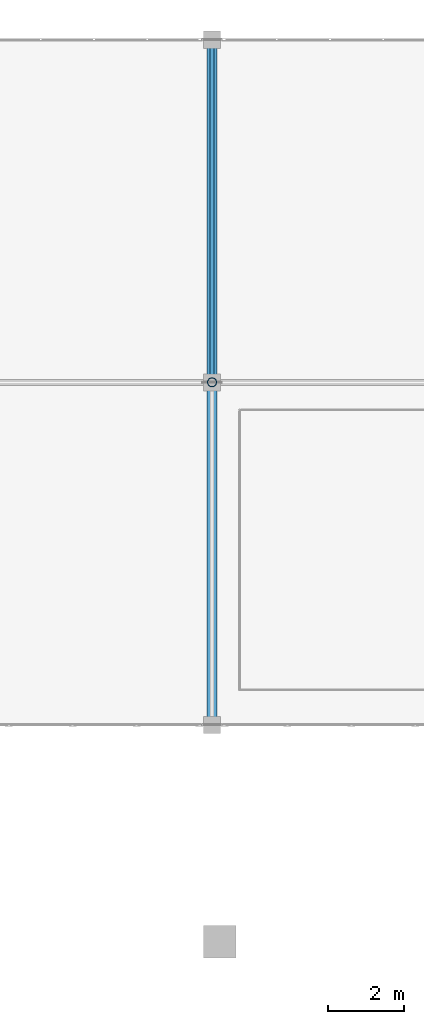
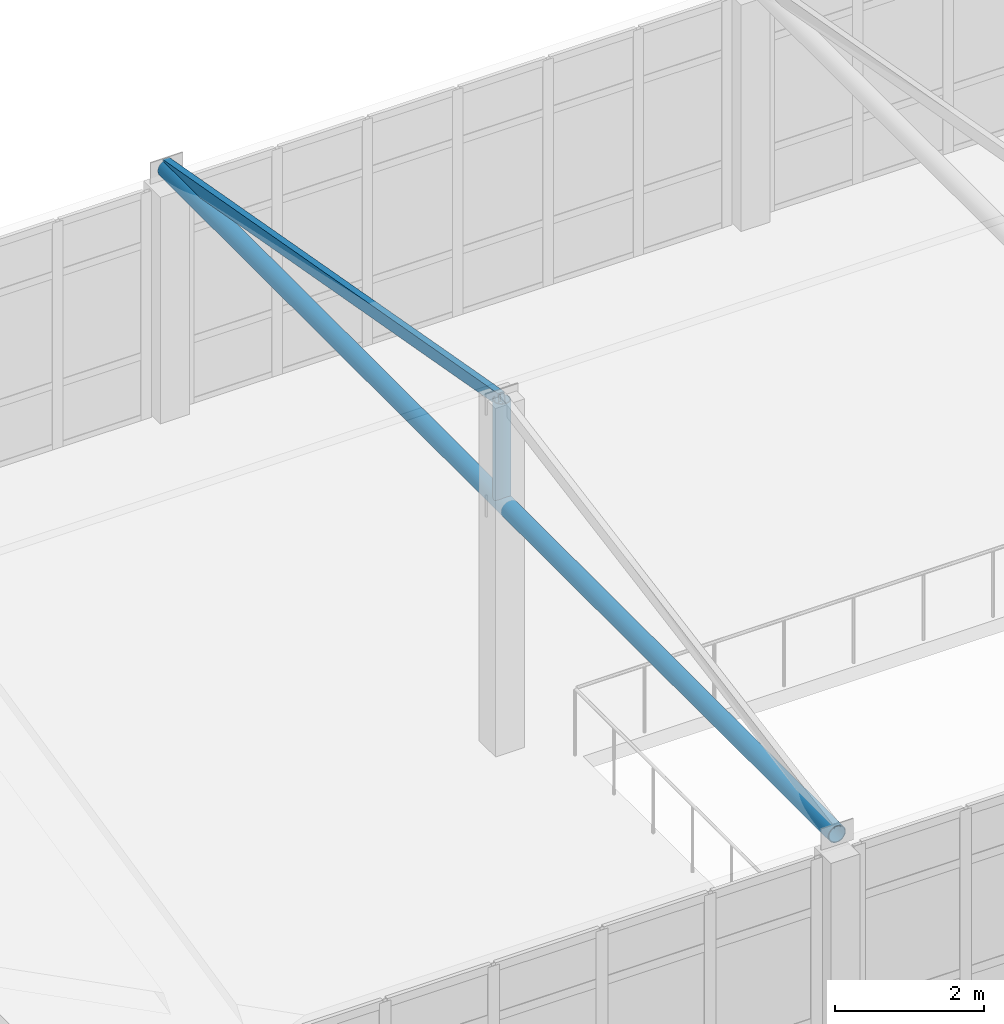
# One storey, part 93 of 156: 3 members.
"""IFC4 building model written with IfcOpenShell, lengths in metres."""

from ifc_helpers import new_model, si_unit, direction, frame, origin, origin_2d, place, context, subcontext, project, spatial, hollow_rectangle, hollow_circle, extrude, material, material_profile, profile_set, type_object, element, save


model = new_model("IFC4")

# Units and contexts
model_context = context("Model", 3, precision=1e-05, world=origin(), true_north=direction((0.0, 1.0)))
body_context = subcontext(model_context, "Body", "Model", "MODEL_VIEW")
ifc_project = project(units=[si_unit("LENGTHUNIT", "METRE"), si_unit("AREAUNIT", "SQUARE_METRE"), si_unit("VOLUMEUNIT", "CUBIC_METRE"), si_unit("PLANEANGLEUNIT", "RADIAN"), si_unit("MASSUNIT", "GRAM", prefix="KILO")], contexts=[model_context])

# Site, building, storey
site_placement = place(None, origin())
site = spatial("IfcSite", under=ifc_project, at=site_placement, CompositionType="ELEMENT")
building_placement = place(site_placement, origin())
building = spatial("IfcBuilding", under=site, at=building_placement, Name="Ornek Quay Market", CompositionType="ELEMENT")
storey_placement = place(building_placement, frame((0.0, 0.0, 4.5)))
storey = spatial("IfcBuildingStorey", under=building, at=storey_placement, Name="L01", CompositionType="ELEMENT", Elevation=4.5)

# Members
ifc_material = material(Name="Steel S355", Category="steel")
ifc_material_profile_1 = material_profile(ifc_material, hollow_circle(Radius=0.136474609375, WallThickness=0.012451171875, at=origin_2d()), Name="CHS 273x12.5", Category="steel")
ifc_profile_set_1 = profile_set([ifc_material_profile_1], Name="Steel S355")
member_type_1 = type_object("IfcMemberType", Name="MBR-CHD-CHS273", PredefinedType="CHORD", material=ifc_profile_set_1)
member_1_placement = place(storey_placement, frame((135.0, 92.0, 3.97998046875), z_axis=(0.0, 1.0, 0.0), x_axis=(-1.0, 0.0, 0.0)))
element("IfcMember", 1, at=member_1_placement, inside=storey, type_object=member_type_1, Name="Concourse skylight tie chord E-135", PredefinedType="CHORD", context=body_context, shape_type="SweptSolid", body=[
    extrude(hollow_circle(Radius=0.136474609375, WallThickness=0.012451171875, at=origin_2d()), origin(), (0.0, 0.0, 1.0), 18.0),
])
ifc_material_profile_2 = material_profile(ifc_material, hollow_rectangle(XDim=0.10009765625, YDim=0.199951171875, WallThickness=0.008056640625, at=origin_2d()), Name="MBR-RAF-100x200", Category="steel")
ifc_profile_set_2 = profile_set([ifc_material_profile_2], Name="Steel S355")
member_type_2 = type_object("IfcMemberType", Name="MBR-RAF-100x200", PredefinedType="RAFTER", material=ifc_profile_set_2)
member_2_placement = place(storey_placement, frame((135.0, 101.0, 5.64990234375), z_axis=(0.0, 0.984185744367, -0.177139551158), x_axis=(-1.0, 0.0, 0.0)))
element("IfcMember", 2, at=member_2_placement, inside=storey, type_object=member_type_2, Name="Concourse skylight rafter E-135-N", PredefinedType="RAFTER", context=body_context, shape_type="SweptSolid", body=[
    extrude(hollow_rectangle(XDim=0.10009765625, YDim=0.199951171875, WallThickness=0.008056640625, at=origin_2d()), origin(), (0.0, 0.0, 1.0), 9.14453125),
])
ifc_material_profile_3 = material_profile(ifc_material, hollow_circle(Radius=0.122314453125, WallThickness=0.012451171875, at=origin_2d()), Name="CHS 244.5x12.5", Category="steel")
ifc_profile_set_3 = profile_set([ifc_material_profile_3], Name="Steel S355")
member_type_3 = type_object("IfcMemberType", Name="MBR-STR-CHS244", PredefinedType="STRUT", material=ifc_profile_set_3)
member_3_placement = place(storey_placement, frame((135.0, 101.0, 3.97998046875), z_axis=(0.0, 0.0, 1.0), x_axis=(1.0, 0.0, 0.0)))
element("IfcMember", 3, at=member_3_placement, inside=storey, type_object=member_type_3, Name="Concourse kingpost strut E-135", PredefinedType="STRUT", context=body_context, shape_type="SweptSolid", body=[
    extrude(hollow_circle(Radius=0.122314453125, WallThickness=0.012451171875, at=origin_2d()), origin(), (0.0, 0.0, 1.0), 1.669921875),
])

save(model, "model.ifc")
